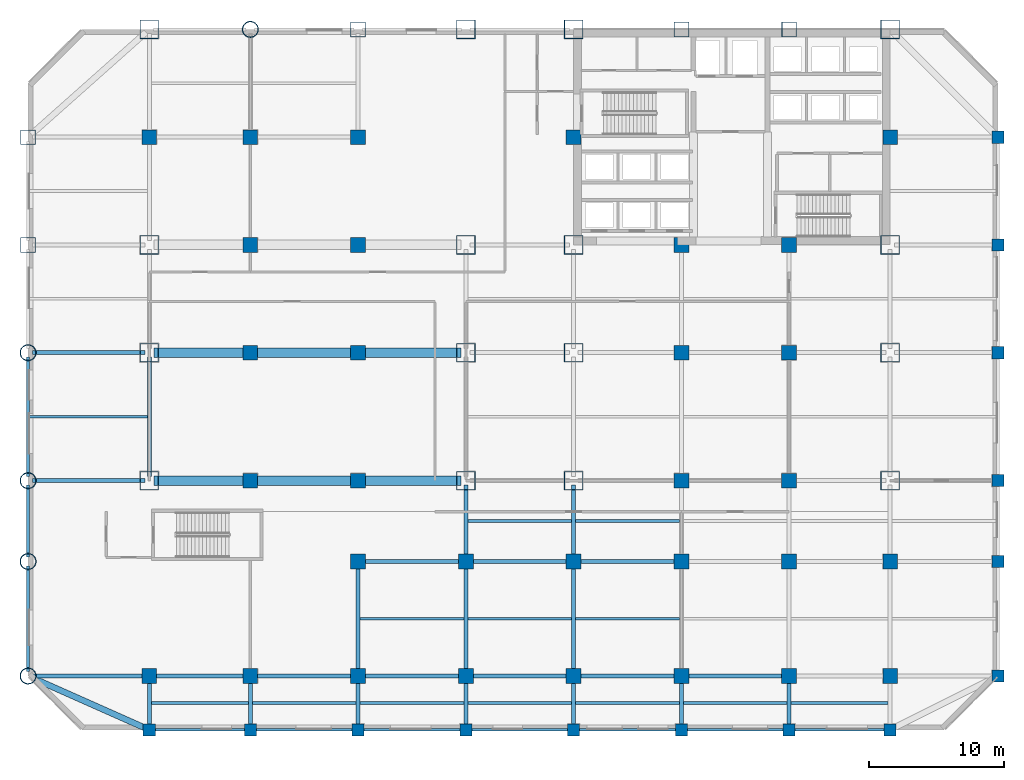
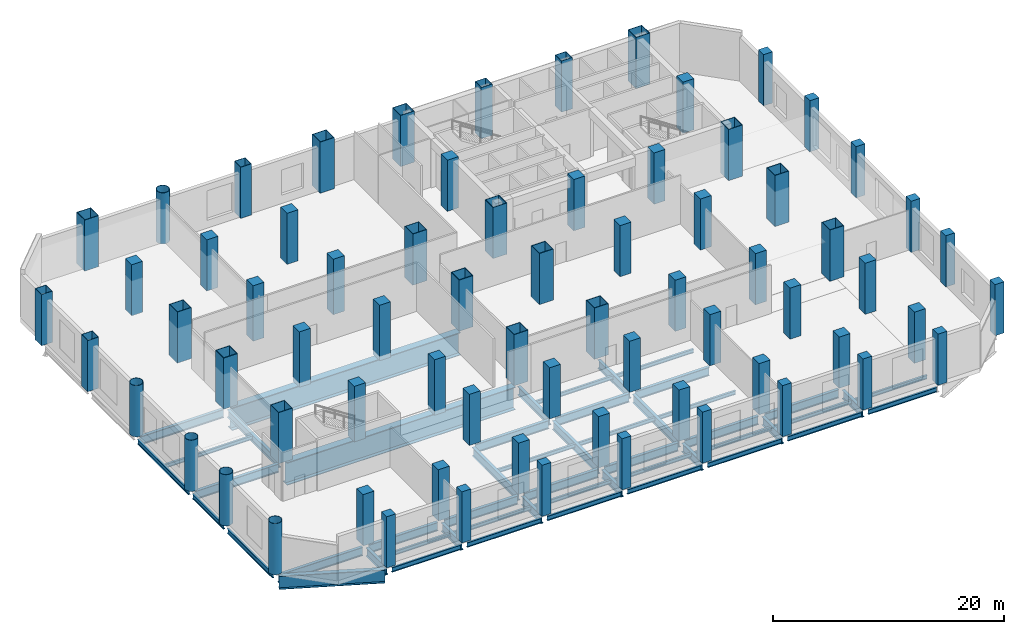
# One storey, part 1 of 10: 71 columns, 51 beams.
"""IFC4 building model written with IfcOpenShell, lengths in metres."""

from ifc_helpers import new_model, si_unit, direction, frame, origin, origin_2d, place, context, subcontext, project, spatial, rectangle, hollow_rectangle, hollow_circle, i_section, extrude, material, material_profile, profile_set, type_object, element, save


model = new_model("IFC4")

# Units and contexts
model_context = context("Model", 3, precision=1e-05, world=origin(), true_north=direction((0.0, 1.0)))
body_context = subcontext(model_context, "Body", "Model", "MODEL_VIEW")
ifc_project = project(units=[si_unit("LENGTHUNIT", "METRE"), si_unit("AREAUNIT", "SQUARE_METRE"), si_unit("VOLUMEUNIT", "CUBIC_METRE"), si_unit("PLANEANGLEUNIT", "RADIAN"), si_unit("MASSUNIT", "GRAM", prefix="KILO")], contexts=[model_context])

# Site, building, storey
site_placement = place(None, origin())
site = spatial("IfcSite", under=ifc_project, at=site_placement, CompositionType="ELEMENT")
building_placement = place(site_placement, origin())
building = spatial("IfcBuilding", under=site, at=building_placement, Name="Qianrong Seaharbour Tower", CompositionType="ELEMENT")
storey_placement = place(building_placement, frame((0.0, 0.0, 17.39990234375)))
storey = spatial("IfcBuildingStorey", under=building, at=storey_placement, Name="L04", CompositionType="ELEMENT", Elevation=17.39990234375)

# Columns
ifc_material_1 = material(Name="Structural steel SN490B", Category="steel")
ifc_material_profile_1 = material_profile(ifc_material_1, hollow_rectangle(XDim=1.39990234375, YDim=1.39990234375, WallThickness=0.050048828125, at=origin_2d()), Name="BOX1400x1400x50")
ifc_profile_set_1 = profile_set([ifc_material_profile_1], Name="Structural steel SN490B")
column_type_1 = type_object("IfcColumnType", Name="COL-CFT-1400", PredefinedType="COLUMN", material=ifc_profile_set_1)
for number, where, z_axis, x_axis, name in (
    (1, (9.0, 18.5, 0.0), (0.0, 0.0, 1.0), (1.0, 0.0, 0.0), "L04 Column MC-1 at G2/GD"),
    (2, (9.0, 28.0, 0.0), (0.0, 0.0, 1.0), (1.0, 0.0, 0.0), "L04 Column MC-1 at G2/GE"),
    (3, (9.0, 36.0, 0.0), (0.0, 0.0, 1.0), (1.0, 0.0, 0.0), "L04 Column MC-1 at G2/GF"),
    (4, (9.0, 52.0, 0.0), (0.0, 0.0, 1.0), (1.0, 0.0, 0.0), "L04 Column MC-1 at G2/GH"),
    (5, (32.5, 18.5, 0.0), (0.0, 0.0, 1.0), (1.0, 0.0, 0.0), "L04 Column MC-1 at G5/GD"),
    (6, (32.5, 28.0, 0.0), (0.0, 0.0, 1.0), (1.0, 0.0, 0.0), "L04 Column MC-1 at G5/GE"),
    (7, (32.5, 36.0, 0.0), (0.0, 0.0, 1.0), (1.0, 0.0, 0.0), "L04 Column MC-1 at G5/GF"),
    (8, (32.5, 52.0, 0.0), (0.0, 0.0, 1.0), (1.0, 0.0, 0.0), "L04 Column MC-1 at G5/GH"),
    (9, (40.5, 18.5, 0.0), (0.0, 0.0, 1.0), (1.0, 0.0, 0.0), "L04 Column MC-1 at G6/GD"),
    (10, (40.5, 28.0, 0.0), (0.0, 0.0, 1.0), (1.0, 0.0, 0.0), "L04 Column MC-1 at G6/GE"),
    (11, (40.5, 36.0, 0.0), (0.0, 0.0, 1.0), (1.0, 0.0, 0.0), "L04 Column MC-1 at G6/GF"),
    (12, (40.5, 52.0, 0.0), (0.0, 0.0, 1.0), (1.0, 0.0, 0.0), "L04 Column MC-1 at G6/GH"),
    (13, (64.0, 18.5, 0.0), (0.0, 0.0, 1.0), (1.0, 0.0, 0.0), "L04 Column MC-1 at G9/GD"),
    (14, (64.0, 28.0, 0.0), (0.0, 0.0, 1.0), (1.0, 0.0, 0.0), "L04 Column MC-1 at G9/GE"),
    (15, (64.0, 36.0, 0.0), (0.0, 0.0, 1.0), (1.0, 0.0, 0.0), "L04 Column MC-1 at G9/GF"),
    (16, (64.0, 52.0, 0.0), (0.0, 0.0, 1.0), (1.0, 0.0, 0.0), "L04 Column MC-1 at G9/GH"),
):
    element("IfcColumn", number, at=place(storey_placement, frame(where, z_axis=z_axis, x_axis=x_axis)), inside=storey, type_object=column_type_1, Name=name, PredefinedType="COLUMN", context=body_context, shape_type="SweptSolid", body=[
        extrude(hollow_rectangle(XDim=1.39990234375, YDim=1.39990234375, WallThickness=0.050048828125, at=origin_2d()), origin(), (0.0, 0.0, 1.0), 5.400146484375),
    ])
ifc_material_profile_2 = material_profile(ifc_material_1, hollow_circle(Radius=0.60009765625, WallThickness=0.0400390625, at=origin_2d()), Name="CHS1200x40")
ifc_profile_set_2 = profile_set([ifc_material_profile_2], Name="Structural steel SN490B")
column_type_2 = type_object("IfcColumnType", Name="COL-CHS-1200", PredefinedType="COLUMN", material=ifc_profile_set_2)
for number, where, z_axis, x_axis, name in (
    (17, (0.0, 4.0, 0.0), (0.0, 0.0, 1.0), (1.0, 0.0, 0.0), "L04 Column CC-1 at G1/GB"),
    (18, (0.0, 12.5, 0.0), (0.0, 0.0, 1.0), (1.0, 0.0, 0.0), "L04 Column CC-1 at G1/GC"),
    (19, (0.0, 18.5, 0.0), (0.0, 0.0, 1.0), (1.0, 0.0, 0.0), "L04 Column CC-1 at G1/GD"),
    (20, (0.0, 28.0, 0.0), (0.0, 0.0, 1.0), (1.0, 0.0, 0.0), "L04 Column CC-1 at G1/GE"),
    (21, (16.5, 52.0, 0.0), (0.0, 0.0, 1.0), (1.0, 0.0, 0.0), "L04 Column CC-1 at G3/GH"),
):
    element("IfcColumn", number, at=place(storey_placement, frame(where, z_axis=z_axis, x_axis=x_axis)), inside=storey, type_object=column_type_2, Name=name, PredefinedType="COLUMN", context=body_context, shape_type="SweptSolid", body=[
        extrude(hollow_circle(Radius=0.60009765625, WallThickness=0.0400390625, at=origin_2d()), origin(), (0.0, 0.0, 1.0), 5.400146484375),
    ])
ifc_material_2 = material(Name="Concrete C70/85", Category="concrete")
ifc_material_profile_3 = material_profile(ifc_material_2, rectangle(XDim=1.10009765625, YDim=1.10009765625, at=origin_2d()), Name="RC1100x1100")
ifc_profile_set_3 = profile_set([ifc_material_profile_3], Name="Concrete C70/85")
column_type_3 = type_object("IfcColumnType", Name="COL-INT-RC1100", PredefinedType="COLUMN", material=ifc_profile_set_3)
for number, where, z_axis, x_axis, name in (
    (22, (9.0, 4.0, 0.0), (0.0, 0.0, 1.0), (1.0, 0.0, 0.0), "L04 Column IC-1 at G2/GB"),
    (23, (9.0, 44.0, 0.0), (0.0, 0.0, 1.0), (1.0, 0.0, 0.0), "L04 Column IC-1 at G2/GG"),
    (24, (16.5, 4.0, 0.0), (0.0, 0.0, 1.0), (1.0, 0.0, 0.0), "L04 Column IC-1 at G3/GB"),
):
    element("IfcColumn", number, at=place(storey_placement, frame(where, z_axis=z_axis, x_axis=x_axis)), inside=storey, type_object=column_type_3, Name=name, PredefinedType="COLUMN", context=body_context, shape_type="SweptSolid", body=[
        extrude(rectangle(XDim=1.10009765625, YDim=1.10009765625, at=origin_2d()), origin(), (0.0, 0.0, 1.0), 5.400146484375),
    ])
for number, where, z_axis, x_axis, name in (
    (25, (16.5, 18.5, -0.449951171875), (0.0, 0.0, 1.0), (1.0, 0.0, 0.0), "L04 Column IC-1 at G3/GD"),
    (26, (16.5, 28.0, -0.449951171875), (0.0, 0.0, 1.0), (1.0, 0.0, 0.0), "L04 Column IC-1 at G3/GE"),
    (27, (16.5, 36.0, -0.449951171875), (0.0, 0.0, 1.0), (1.0, 0.0, 0.0), "L04 Column IC-1 at G3/GF"),
):
    element("IfcColumn", number, at=place(storey_placement, frame(where, z_axis=z_axis, x_axis=x_axis)), inside=storey, type_object=column_type_3, Name=name, PredefinedType="COLUMN", context=body_context, shape_type="SweptSolid", body=[
        extrude(rectangle(XDim=1.10009765625, YDim=1.10009765625, at=origin_2d()), origin(), (0.0, 0.0, 1.0), 5.85009765625),
    ])
for number, where, z_axis, x_axis, name in (
    (28, (16.5, 44.0, 0.0), (0.0, 0.0, 1.0), (1.0, 0.0, 0.0), "L04 Column IC-1 at G3/GG"),
    (29, (24.5, 4.0, 0.0), (0.0, 0.0, 1.0), (1.0, 0.0, 0.0), "L04 Column IC-1 at G4/GB"),
    (30, (24.5, 12.5, 0.0), (0.0, 0.0, 1.0), (1.0, 0.0, 0.0), "L04 Column IC-1 at G4/GC"),
):
    element("IfcColumn", number, at=place(storey_placement, frame(where, z_axis=z_axis, x_axis=x_axis)), inside=storey, type_object=column_type_3, Name=name, PredefinedType="COLUMN", context=body_context, shape_type="SweptSolid", body=[
        extrude(rectangle(XDim=1.10009765625, YDim=1.10009765625, at=origin_2d()), origin(), (0.0, 0.0, 1.0), 5.400146484375),
    ])
for number, where, z_axis, x_axis, name in (
    (31, (24.5, 18.5, -0.449951171875), (0.0, 0.0, 1.0), (1.0, 0.0, 0.0), "L04 Column IC-1 at G4/GD"),
    (32, (24.5, 28.0, -0.449951171875), (0.0, 0.0, 1.0), (1.0, 0.0, 0.0), "L04 Column IC-1 at G4/GE"),
    (33, (24.5, 36.0, -0.449951171875), (0.0, 0.0, 1.0), (1.0, 0.0, 0.0), "L04 Column IC-1 at G4/GF"),
):
    element("IfcColumn", number, at=place(storey_placement, frame(where, z_axis=z_axis, x_axis=x_axis)), inside=storey, type_object=column_type_3, Name=name, PredefinedType="COLUMN", context=body_context, shape_type="SweptSolid", body=[
        extrude(rectangle(XDim=1.10009765625, YDim=1.10009765625, at=origin_2d()), origin(), (0.0, 0.0, 1.0), 5.85009765625),
    ])
for number, where, z_axis, x_axis, name in (
    (34, (24.5, 44.0, 0.0), (0.0, 0.0, 1.0), (1.0, 0.0, 0.0), "L04 Column IC-1 at G4/GG"),
    (35, (32.5, 4.0, 0.0), (0.0, 0.0, 1.0), (1.0, 0.0, 0.0), "L04 Column IC-1 at G5/GB"),
    (36, (32.5, 12.5, 0.0), (0.0, 0.0, 1.0), (1.0, 0.0, 0.0), "L04 Column IC-1 at G5/GC"),
    (37, (40.5, 4.0, 0.0), (0.0, 0.0, 1.0), (1.0, 0.0, 0.0), "L04 Column IC-1 at G6/GB"),
    (38, (40.5, 12.5, 0.0), (0.0, 0.0, 1.0), (1.0, 0.0, 0.0), "L04 Column IC-1 at G6/GC"),
    (39, (40.5, 44.0, 0.0), (0.0, 0.0, 1.0), (1.0, 0.0, 0.0), "L04 Column IC-1 at G6/GG"),
    (40, (48.5, 4.0, 0.0), (0.0, 0.0, 1.0), (1.0, 0.0, 0.0), "L04 Column IC-1 at G7/GB"),
    (41, (48.5, 12.5, 0.0), (0.0, 0.0, 1.0), (1.0, 0.0, 0.0), "L04 Column IC-1 at G7/GC"),
    (42, (48.5, 18.5, 0.0), (0.0, 0.0, 1.0), (1.0, 0.0, 0.0), "L04 Column IC-1 at G7/GD"),
    (43, (48.5, 28.0, 0.0), (0.0, 0.0, 1.0), (1.0, 0.0, 0.0), "L04 Column IC-1 at G7/GE"),
    (44, (48.5, 36.0, 0.0), (0.0, 0.0, 1.0), (1.0, 0.0, 0.0), "L04 Column IC-1 at G7/GF"),
    (45, (56.5, 4.0, 0.0), (0.0, 0.0, 1.0), (1.0, 0.0, 0.0), "L04 Column IC-1 at G8/GB"),
    (46, (56.5, 12.5, 0.0), (0.0, 0.0, 1.0), (1.0, 0.0, 0.0), "L04 Column IC-1 at G8/GC"),
    (47, (56.5, 18.5, 0.0), (0.0, 0.0, 1.0), (1.0, 0.0, 0.0), "L04 Column IC-1 at G8/GD"),
    (48, (56.5, 28.0, 0.0), (0.0, 0.0, 1.0), (1.0, 0.0, 0.0), "L04 Column IC-1 at G8/GE"),
    (49, (56.5, 36.0, 0.0), (0.0, 0.0, 1.0), (1.0, 0.0, 0.0), "L04 Column IC-1 at G8/GF"),
    (50, (64.0, 4.0, 0.0), (0.0, 0.0, 1.0), (1.0, 0.0, 0.0), "L04 Column IC-1 at G9/GB"),
    (51, (64.0, 12.5, 0.0), (0.0, 0.0, 1.0), (1.0, 0.0, 0.0), "L04 Column IC-1 at G9/GC"),
    (52, (64.0, 44.0, 0.0), (0.0, 0.0, 1.0), (1.0, 0.0, 0.0), "L04 Column IC-1 at G9/GG"),
):
    element("IfcColumn", number, at=place(storey_placement, frame(where, z_axis=z_axis, x_axis=x_axis)), inside=storey, type_object=column_type_3, Name=name, PredefinedType="COLUMN", context=body_context, shape_type="SweptSolid", body=[
        extrude(rectangle(XDim=1.10009765625, YDim=1.10009765625, at=origin_2d()), origin(), (0.0, 0.0, 1.0), 5.400146484375),
    ])
ifc_material_profile_4 = material_profile(ifc_material_1, hollow_rectangle(XDim=1.10009765625, YDim=1.10009765625, WallThickness=0.0400390625, at=origin_2d()), Name="BOX1100x1100x40")
ifc_profile_set_4 = profile_set([ifc_material_profile_4], Name="Structural steel SN490B")
column_type_4 = type_object("IfcColumnType", Name="COL-PER-1100", PredefinedType="COLUMN", material=ifc_profile_set_4)
for number, where, z_axis, x_axis, name in (
    (53, (0.0, 36.0, 0.0), (0.0, 0.0, 1.0), (1.0, 0.0, 0.0), "L04 Column PC-1 at G1/GF"),
    (54, (0.0, 44.0, 0.0), (0.0, 0.0, 1.0), (1.0, 0.0, 0.0), "L04 Column PC-1 at G1/GG"),
    (55, (24.5, 52.0, 0.0), (0.0, 0.0, 1.0), (1.0, 0.0, 0.0), "L04 Column PC-1 at G4/GH"),
    (56, (48.5, 52.0, 0.0), (0.0, 0.0, 1.0), (1.0, 0.0, 0.0), "L04 Column PC-1 at G7/GH"),
    (57, (56.5, 52.0, 0.0), (0.0, 0.0, 1.0), (1.0, 0.0, 0.0), "L04 Column PC-1 at G8/GH"),
):
    element("IfcColumn", number, at=place(storey_placement, frame(where, z_axis=z_axis, x_axis=x_axis)), inside=storey, type_object=column_type_4, Name=name, PredefinedType="COLUMN", context=body_context, shape_type="SweptSolid", body=[
        extrude(hollow_rectangle(XDim=1.10009765625, YDim=1.10009765625, WallThickness=0.0400390625, at=origin_2d()), origin(), (0.0, 0.0, 1.0), 5.400146484375),
    ])
ifc_material_3 = material(Name="Concrete C60/75", Category="concrete")
ifc_material_profile_5 = material_profile(ifc_material_3, rectangle(XDim=0.89990234375, YDim=0.89990234375, at=origin_2d()), Name="RC900x900")
ifc_profile_set_5 = profile_set([ifc_material_profile_5], Name="Concrete C60/75")
column_type_5 = type_object("IfcColumnType", Name="COL-PIL-RC900", PredefinedType="PILASTER", material=ifc_profile_set_5)
for number, where, z_axis, x_axis, name in (
    (58, (9.0, 0.0, 0.0), (0.0, 0.0, 1.0), (1.0, 0.0, 0.0), "L04 Column CP-1 at G2/GA"),
    (59, (16.5, 0.0, 0.0), (0.0, 0.0, 1.0), (1.0, 0.0, 0.0), "L04 Column CP-1 at G3/GA"),
    (60, (24.5, 0.0, 0.0), (0.0, 0.0, 1.0), (1.0, 0.0, 0.0), "L04 Column CP-1 at G4/GA"),
    (61, (32.5, 0.0, 0.0), (0.0, 0.0, 1.0), (1.0, 0.0, 0.0), "L04 Column CP-1 at G5/GA"),
    (62, (40.5, 0.0, 0.0), (0.0, 0.0, 1.0), (1.0, 0.0, 0.0), "L04 Column CP-1 at G6/GA"),
    (63, (48.5, 0.0, 0.0), (0.0, 0.0, 1.0), (1.0, 0.0, 0.0), "L04 Column CP-1 at G7/GA"),
    (64, (56.5, 0.0, 0.0), (0.0, 0.0, 1.0), (1.0, 0.0, 0.0), "L04 Column CP-1 at G8/GA"),
    (65, (64.0, 0.0, 0.0), (0.0, 0.0, 1.0), (1.0, 0.0, 0.0), "L04 Column CP-1 at G9/GA"),
    (66, (72.0, 4.0, 0.0), (0.0, 0.0, 1.0), (1.0, 0.0, 0.0), "L04 Column CP-1 at G10/GB"),
    (67, (72.0, 12.5, 0.0), (0.0, 0.0, 1.0), (1.0, 0.0, 0.0), "L04 Column CP-1 at G10/GC"),
    (68, (72.0, 18.5, 0.0), (0.0, 0.0, 1.0), (1.0, 0.0, 0.0), "L04 Column CP-1 at G10/GD"),
    (69, (72.0, 28.0, 0.0), (0.0, 0.0, 1.0), (1.0, 0.0, 0.0), "L04 Column CP-1 at G10/GE"),
    (70, (72.0, 36.0, 0.0), (0.0, 0.0, 1.0), (1.0, 0.0, 0.0), "L04 Column CP-1 at G10/GF"),
    (71, (72.0, 44.0, 0.0), (0.0, 0.0, 1.0), (1.0, 0.0, 0.0), "L04 Column CP-1 at G10/GG"),
):
    element("IfcColumn", number, at=place(storey_placement, frame(where, z_axis=z_axis, x_axis=x_axis)), inside=storey, type_object=column_type_5, Name=name, PredefinedType="PILASTER", context=body_context, shape_type="SweptSolid", body=[
        extrude(rectangle(XDim=0.89990234375, YDim=0.89990234375, at=origin_2d()), origin(), (0.0, 0.0, 1.0), 5.400146484375),
    ])

# Beams
ifc_material_profile_6 = material_profile(ifc_material_1, i_section(OverallWidth=0.300048828125, OverallDepth=0.800048828125, WebThickness=0.013916015625, FlangeThickness=0.02587890625, FilletRadius=0.028076171875, at=origin_2d()), Name="H800x300x14x26")
ifc_profile_set_6 = profile_set([ifc_material_profile_6], Name="Structural steel SN490B")
beam_type_1 = type_object("IfcBeamType", Name="BM-G-800", PredefinedType="BEAM", material=ifc_profile_set_6)
beam_1_placement = place(storey_placement, frame((9.0, 18.820068359375, -0.849853515625), z_axis=(0.0, 1.0, 0.0), x_axis=(-1.0, 0.0, 0.0)))
element("IfcBeam", 72, at=beam_1_placement, inside=storey, type_object=beam_type_1, Name="L04 Primary Girder G2 GD-GE", PredefinedType="BEAM", context=body_context, shape_type="SweptSolid", body=[
    extrude(i_section(OverallWidth=0.300048828125, OverallDepth=0.800048828125, WebThickness=0.013916015625, FlangeThickness=0.02587890625, FilletRadius=0.028076171875, at=origin_2d()), origin(), (0.0, 0.0, 1.0), 8.85986328125),
])
ifc_material_profile_7 = material_profile(ifc_material_1, i_section(OverallWidth=0.300048828125, OverallDepth=0.89990234375, WebThickness=0.01611328125, FlangeThickness=0.028076171875, FilletRadius=0.028076171875, at=origin_2d()), Name="H900x300x16x28")
ifc_profile_set_7 = profile_set([ifc_material_profile_7], Name="Structural steel SN490B")
beam_type_2 = type_object("IfcBeamType", Name="BM-G-900", PredefinedType="BEAM", material=ifc_profile_set_7)
beam_2_placement = place(storey_placement, frame((0.320068359375, 4.0, -0.89990234375), z_axis=(1.0, 0.0, 0.0), x_axis=(0.0, 1.0, 0.0)))
element("IfcBeam", 73, at=beam_2_placement, inside=storey, type_object=beam_type_2, Name="L04 Primary Girder GB G1-G2", PredefinedType="BEAM", context=body_context, shape_type="SweptSolid", body=[
    extrude(i_section(OverallWidth=0.300048828125, OverallDepth=0.89990234375, WebThickness=0.01611328125, FlangeThickness=0.028076171875, FilletRadius=0.028076171875, at=origin_2d()), origin(), (0.0, 0.0, 1.0), 8.35986328125),
])
beam_3_placement = place(storey_placement, frame((9.320068359375, 4.0, -0.89990234375), z_axis=(1.0, 0.0, 0.0), x_axis=(0.0, 1.0, 0.0)))
element("IfcBeam", 74, at=beam_3_placement, inside=storey, type_object=beam_type_2, Name="L04 Primary Girder GB G2-G3", PredefinedType="BEAM", context=body_context, shape_type="SweptSolid", body=[
    extrude(i_section(OverallWidth=0.300048828125, OverallDepth=0.89990234375, WebThickness=0.01611328125, FlangeThickness=0.028076171875, FilletRadius=0.028076171875, at=origin_2d()), origin(), (0.0, 0.0, 1.0), 6.85986328125),
])
for number, where, z_axis, x_axis, name in (
    (75, (16.820068359375, 4.0, -0.89990234375), (1.0, 0.0, 0.0), (0.0, 1.0, 0.0), "L04 Primary Girder GB G3-G4"),
    (76, (24.820068359375, 4.0, -0.89990234375), (1.0, 0.0, 0.0), (0.0, 1.0, 0.0), "L04 Primary Girder GB G4-G5"),
    (77, (32.820068359375, 4.0, -0.89990234375), (1.0, 0.0, 0.0), (0.0, 1.0, 0.0), "L04 Primary Girder GB G5-G6"),
    (78, (40.820068359375, 4.0, -0.89990234375), (1.0, 0.0, 0.0), (0.0, 1.0, 0.0), "L04 Primary Girder GB G6-G7"),
    (79, (48.820068359375, 4.0, -0.89990234375), (1.0, 0.0, 0.0), (0.0, 1.0, 0.0), "L04 Primary Girder GB G7-G8"),
    (80, (24.820068359375, 12.5, -0.89990234375), (1.0, 0.0, 0.0), (0.0, 1.0, 0.0), "L04 Primary Girder GC G4-G5"),
    (81, (32.820068359375, 12.5, -0.89990234375), (1.0, 0.0, 0.0), (0.0, 1.0, 0.0), "L04 Primary Girder GC G5-G6"),
    (82, (40.820068359375, 12.5, -0.89990234375), (1.0, 0.0, 0.0), (0.0, 1.0, 0.0), "L04 Primary Girder GC G6-G7"),
):
    element("IfcBeam", number, at=place(storey_placement, frame(where, z_axis=z_axis, x_axis=x_axis)), inside=storey, type_object=beam_type_2, Name=name, PredefinedType="BEAM", context=body_context, shape_type="SweptSolid", body=[
        extrude(i_section(OverallWidth=0.300048828125, OverallDepth=0.89990234375, WebThickness=0.01611328125, FlangeThickness=0.028076171875, FilletRadius=0.028076171875, at=origin_2d()), origin(), (0.0, 0.0, 1.0), 7.35986328125),
    ])
for number, where, z_axis, x_axis, name in (
    (83, (0.320068359375, 18.5, -0.89990234375), (1.0, 0.0, 0.0), (0.0, 1.0, 0.0), "L04 Primary Girder GD G1-G2"),
    (84, (0.320068359375, 28.0, -0.89990234375), (1.0, 0.0, 0.0), (0.0, 1.0, 0.0), "L04 Primary Girder GE G1-G2"),
):
    element("IfcBeam", number, at=place(storey_placement, frame(where, z_axis=z_axis, x_axis=x_axis)), inside=storey, type_object=beam_type_2, Name=name, PredefinedType="BEAM", context=body_context, shape_type="SweptSolid", body=[
        extrude(i_section(OverallWidth=0.300048828125, OverallDepth=0.89990234375, WebThickness=0.01611328125, FlangeThickness=0.028076171875, FilletRadius=0.028076171875, at=origin_2d()), origin(), (0.0, 0.0, 1.0), 8.35986328125),
    ])
for number, where, z_axis, x_axis, name in (
    (85, (9.0, 0.320068359375, -0.89990234375), (0.0, 1.0, 0.0), (-1.0, 0.0, 0.0), "L04 Primary Girder G2 GA-GB"),
    (86, (16.5, 0.320068359375, -0.89990234375), (0.0, 1.0, 0.0), (-1.0, 0.0, 0.0), "L04 Primary Girder G3 GA-GB"),
    (87, (24.5, 0.320068359375, -0.89990234375), (0.0, 1.0, 0.0), (-1.0, 0.0, 0.0), "L04 Primary Girder G4 GA-GB"),
):
    element("IfcBeam", number, at=place(storey_placement, frame(where, z_axis=z_axis, x_axis=x_axis)), inside=storey, type_object=beam_type_2, Name=name, PredefinedType="BEAM", context=body_context, shape_type="SweptSolid", body=[
        extrude(i_section(OverallWidth=0.300048828125, OverallDepth=0.89990234375, WebThickness=0.01611328125, FlangeThickness=0.028076171875, FilletRadius=0.028076171875, at=origin_2d()), origin(), (0.0, 0.0, 1.0), 3.35986328125),
    ])
beam_4_placement = place(storey_placement, frame((24.5, 4.320068359375, -0.89990234375), z_axis=(0.0, 1.0, 0.0), x_axis=(-1.0, 0.0, 0.0)))
element("IfcBeam", 88, at=beam_4_placement, inside=storey, type_object=beam_type_2, Name="L04 Primary Girder G4 GB-GC", PredefinedType="BEAM", context=body_context, shape_type="SweptSolid", body=[
    extrude(i_section(OverallWidth=0.300048828125, OverallDepth=0.89990234375, WebThickness=0.01611328125, FlangeThickness=0.028076171875, FilletRadius=0.028076171875, at=origin_2d()), origin(), (0.0, 0.0, 1.0), 7.85986328125),
])
beam_5_placement = place(storey_placement, frame((32.5, 0.320068359375, -0.89990234375), z_axis=(0.0, 1.0, 0.0), x_axis=(-1.0, 0.0, 0.0)))
element("IfcBeam", 89, at=beam_5_placement, inside=storey, type_object=beam_type_2, Name="L04 Primary Girder G5 GA-GB", PredefinedType="BEAM", context=body_context, shape_type="SweptSolid", body=[
    extrude(i_section(OverallWidth=0.300048828125, OverallDepth=0.89990234375, WebThickness=0.01611328125, FlangeThickness=0.028076171875, FilletRadius=0.028076171875, at=origin_2d()), origin(), (0.0, 0.0, 1.0), 3.35986328125),
])
beam_6_placement = place(storey_placement, frame((32.5, 4.320068359375, -0.89990234375), z_axis=(0.0, 1.0, 0.0), x_axis=(-1.0, 0.0, 0.0)))
element("IfcBeam", 90, at=beam_6_placement, inside=storey, type_object=beam_type_2, Name="L04 Primary Girder G5 GB-GC", PredefinedType="BEAM", context=body_context, shape_type="SweptSolid", body=[
    extrude(i_section(OverallWidth=0.300048828125, OverallDepth=0.89990234375, WebThickness=0.01611328125, FlangeThickness=0.028076171875, FilletRadius=0.028076171875, at=origin_2d()), origin(), (0.0, 0.0, 1.0), 7.85986328125),
])
beam_7_placement = place(storey_placement, frame((32.5, 12.820068359375, -0.89990234375), z_axis=(0.0, 1.0, 0.0), x_axis=(-1.0, 0.0, 0.0)))
element("IfcBeam", 91, at=beam_7_placement, inside=storey, type_object=beam_type_2, Name="L04 Primary Girder G5 GC-GD", PredefinedType="BEAM", context=body_context, shape_type="SweptSolid", body=[
    extrude(i_section(OverallWidth=0.300048828125, OverallDepth=0.89990234375, WebThickness=0.01611328125, FlangeThickness=0.028076171875, FilletRadius=0.028076171875, at=origin_2d()), origin(), (0.0, 0.0, 1.0), 5.35986328125),
])
beam_8_placement = place(storey_placement, frame((40.5, 0.320068359375, -0.89990234375), z_axis=(0.0, 1.0, 0.0), x_axis=(-1.0, 0.0, 0.0)))
element("IfcBeam", 92, at=beam_8_placement, inside=storey, type_object=beam_type_2, Name="L04 Primary Girder G6 GA-GB", PredefinedType="BEAM", context=body_context, shape_type="SweptSolid", body=[
    extrude(i_section(OverallWidth=0.300048828125, OverallDepth=0.89990234375, WebThickness=0.01611328125, FlangeThickness=0.028076171875, FilletRadius=0.028076171875, at=origin_2d()), origin(), (0.0, 0.0, 1.0), 3.35986328125),
])
beam_9_placement = place(storey_placement, frame((40.5, 4.320068359375, -0.89990234375), z_axis=(0.0, 1.0, 0.0), x_axis=(-1.0, 0.0, 0.0)))
element("IfcBeam", 93, at=beam_9_placement, inside=storey, type_object=beam_type_2, Name="L04 Primary Girder G6 GB-GC", PredefinedType="BEAM", context=body_context, shape_type="SweptSolid", body=[
    extrude(i_section(OverallWidth=0.300048828125, OverallDepth=0.89990234375, WebThickness=0.01611328125, FlangeThickness=0.028076171875, FilletRadius=0.028076171875, at=origin_2d()), origin(), (0.0, 0.0, 1.0), 7.85986328125),
])
beam_10_placement = place(storey_placement, frame((40.5, 12.820068359375, -0.89990234375), z_axis=(0.0, 1.0, 0.0), x_axis=(-1.0, 0.0, 0.0)))
element("IfcBeam", 94, at=beam_10_placement, inside=storey, type_object=beam_type_2, Name="L04 Primary Girder G6 GC-GD", PredefinedType="BEAM", context=body_context, shape_type="SweptSolid", body=[
    extrude(i_section(OverallWidth=0.300048828125, OverallDepth=0.89990234375, WebThickness=0.01611328125, FlangeThickness=0.028076171875, FilletRadius=0.028076171875, at=origin_2d()), origin(), (0.0, 0.0, 1.0), 5.35986328125),
])
for number, where, z_axis, x_axis, name in (
    (95, (48.5, 0.320068359375, -0.89990234375), (0.0, 1.0, 0.0), (-1.0, 0.0, 0.0), "L04 Primary Girder G7 GA-GB"),
    (96, (56.5, 0.320068359375, -0.89990234375), (0.0, 1.0, 0.0), (-1.0, 0.0, 0.0), "L04 Primary Girder G8 GA-GB"),
):
    element("IfcBeam", number, at=place(storey_placement, frame(where, z_axis=z_axis, x_axis=x_axis)), inside=storey, type_object=beam_type_2, Name=name, PredefinedType="BEAM", context=body_context, shape_type="SweptSolid", body=[
        extrude(i_section(OverallWidth=0.300048828125, OverallDepth=0.89990234375, WebThickness=0.01611328125, FlangeThickness=0.028076171875, FilletRadius=0.028076171875, at=origin_2d()), origin(), (0.0, 0.0, 1.0), 3.35986328125),
    ])
ifc_material_4 = material(Name="Structural steel SN400B", Category="steel")
ifc_material_profile_8 = material_profile(ifc_material_4, i_section(OverallWidth=0.199951171875, OverallDepth=0.39990234375, WebThickness=0.008056640625, FlangeThickness=0.012939453125, FilletRadius=0.01611328125, at=origin_2d()), Name="H400x200x8x13")
ifc_profile_set_8 = profile_set([ifc_material_profile_8], Name="Structural steel SN400B")
beam_type_3 = type_object("IfcBeamType", Name="BM-J-400", PredefinedType="JOIST", material=ifc_profile_set_8)
beam_11_placement = place(storey_placement, frame((0.10009765625, 23.25, -0.64990234375), z_axis=(1.0, 0.0, 0.0), x_axis=(0.0, 1.0, 0.0)))
element("IfcBeam", 97, at=beam_11_placement, inside=storey, type_object=beam_type_3, Name="L04 Composite Floor Joist G1-G2/GD-GE", PredefinedType="JOIST", context=body_context, shape_type="SweptSolid", body=[
    extrude(i_section(OverallWidth=0.199951171875, OverallDepth=0.39990234375, WebThickness=0.008056640625, FlangeThickness=0.012939453125, FilletRadius=0.01611328125, at=origin_2d()), origin(), (0.0, 0.0, 1.0), 8.75),
])
beam_12_placement = place(storey_placement, frame((9.14990234375, 2.0, -0.64990234375), z_axis=(1.0, 0.0, 0.0), x_axis=(0.0, 1.0, 0.0)))
element("IfcBeam", 98, at=beam_12_placement, inside=storey, type_object=beam_type_3, Name="L04 Composite Floor Joist G2-G3/GA-GB", PredefinedType="JOIST", context=body_context, shape_type="SweptSolid", body=[
    extrude(i_section(OverallWidth=0.199951171875, OverallDepth=0.39990234375, WebThickness=0.008056640625, FlangeThickness=0.012939453125, FilletRadius=0.01611328125, at=origin_2d()), origin(), (0.0, 0.0, 1.0), 7.2001953125),
])
for number, where, z_axis, x_axis, name in (
    (99, (16.64990234375, 2.0, -0.64990234375), (1.0, 0.0, 0.0), (0.0, 1.0, 0.0), "L04 Composite Floor Joist G3-G4/GA-GB"),
    (100, (24.64990234375, 2.0, -0.64990234375), (1.0, 0.0, 0.0), (0.0, 1.0, 0.0), "L04 Composite Floor Joist G4-G5/GA-GB"),
    (101, (24.64990234375, 8.25, -0.64990234375), (1.0, 0.0, 0.0), (0.0, 1.0, 0.0), "L04 Composite Floor Joist G4-G5/GB-GC"),
    (102, (32.64990234375, 2.0, -0.64990234375), (1.0, 0.0, 0.0), (0.0, 1.0, 0.0), "L04 Composite Floor Joist G5-G6/GA-GB"),
    (103, (32.64990234375, 8.25, -0.64990234375), (1.0, 0.0, 0.0), (0.0, 1.0, 0.0), "L04 Composite Floor Joist G5-G6/GB-GC"),
    (104, (32.64990234375, 15.5, -0.64990234375), (1.0, 0.0, 0.0), (0.0, 1.0, 0.0), "L04 Composite Floor Joist G5-G6/GC-GD"),
    (105, (40.64990234375, 2.0, -0.64990234375), (1.0, 0.0, 0.0), (0.0, 1.0, 0.0), "L04 Composite Floor Joist G6-G7/GA-GB"),
    (106, (40.64990234375, 8.25, -0.64990234375), (1.0, 0.0, 0.0), (0.0, 1.0, 0.0), "L04 Composite Floor Joist G6-G7/GB-GC"),
    (107, (40.64990234375, 15.5, -0.64990234375), (1.0, 0.0, 0.0), (0.0, 1.0, 0.0), "L04 Composite Floor Joist G6-G7/GC-GD"),
    (108, (48.64990234375, 2.0, -0.64990234375), (1.0, 0.0, 0.0), (0.0, 1.0, 0.0), "L04 Composite Floor Joist G7-G8/GA-GB"),
):
    element("IfcBeam", number, at=place(storey_placement, frame(where, z_axis=z_axis, x_axis=x_axis)), inside=storey, type_object=beam_type_3, Name=name, PredefinedType="JOIST", context=body_context, shape_type="SweptSolid", body=[
        extrude(i_section(OverallWidth=0.199951171875, OverallDepth=0.39990234375, WebThickness=0.008056640625, FlangeThickness=0.012939453125, FilletRadius=0.01611328125, at=origin_2d()), origin(), (0.0, 0.0, 1.0), 7.7001953125),
    ])
beam_13_placement = place(storey_placement, frame((56.64990234375, 2.0, -0.64990234375), z_axis=(1.0, 0.0, 0.0), x_axis=(0.0, 1.0, 0.0)))
element("IfcBeam", 109, at=beam_13_placement, inside=storey, type_object=beam_type_3, Name="L04 Composite Floor Joist G8-G9/GA-GB", PredefinedType="JOIST", context=body_context, shape_type="SweptSolid", body=[
    extrude(i_section(OverallWidth=0.199951171875, OverallDepth=0.39990234375, WebThickness=0.008056640625, FlangeThickness=0.012939453125, FilletRadius=0.01611328125, at=origin_2d()), origin(), (0.0, 0.0, 1.0), 7.2001953125),
])
ifc_material_profile_9 = material_profile(ifc_material_1, i_section(OverallWidth=0.199951171875, OverallDepth=0.5, WebThickness=0.010009765625, FlangeThickness=0.01611328125, FilletRadius=0.02001953125, at=origin_2d()), Name="H500x200x10x16")
ifc_profile_set_9 = profile_set([ifc_material_profile_9], Name="Structural steel SN490B")
beam_type_4 = type_object("IfcBeamType", Name="BM-SP-500", PredefinedType="SPANDREL", material=ifc_profile_set_9)
beam_14_placement = place(storey_placement, frame((9.320068359375, 0.0, -0.699951171875), z_axis=(1.0, 0.0, 0.0), x_axis=(0.0, 1.0, 0.0)))
element("IfcBeam", 110, at=beam_14_placement, inside=storey, type_object=beam_type_4, Name="L04 Spandrel Girder GA G2-G3", PredefinedType="SPANDREL", context=body_context, shape_type="SweptSolid", body=[
    extrude(i_section(OverallWidth=0.199951171875, OverallDepth=0.5, WebThickness=0.010009765625, FlangeThickness=0.01611328125, FilletRadius=0.02001953125, at=origin_2d()), origin(), (0.0, 0.0, 1.0), 6.85986328125),
])
for number, where, z_axis, x_axis, name in (
    (111, (16.820068359375, 0.0, -0.699951171875), (1.0, 0.0, 0.0), (0.0, 1.0, 0.0), "L04 Spandrel Girder GA G3-G4"),
    (112, (24.820068359375, 0.0, -0.699951171875), (1.0, 0.0, 0.0), (0.0, 1.0, 0.0), "L04 Spandrel Girder GA G4-G5"),
    (113, (32.820068359375, 0.0, -0.699951171875), (1.0, 0.0, 0.0), (0.0, 1.0, 0.0), "L04 Spandrel Girder GA G5-G6"),
    (114, (40.820068359375, 0.0, -0.699951171875), (1.0, 0.0, 0.0), (0.0, 1.0, 0.0), "L04 Spandrel Girder GA G6-G7"),
    (115, (48.820068359375, 0.0, -0.699951171875), (1.0, 0.0, 0.0), (0.0, 1.0, 0.0), "L04 Spandrel Girder GA G7-G8"),
):
    element("IfcBeam", number, at=place(storey_placement, frame(where, z_axis=z_axis, x_axis=x_axis)), inside=storey, type_object=beam_type_4, Name=name, PredefinedType="SPANDREL", context=body_context, shape_type="SweptSolid", body=[
        extrude(i_section(OverallWidth=0.199951171875, OverallDepth=0.5, WebThickness=0.010009765625, FlangeThickness=0.01611328125, FilletRadius=0.02001953125, at=origin_2d()), origin(), (0.0, 0.0, 1.0), 7.35986328125),
    ])
beam_15_placement = place(storey_placement, frame((56.820068359375, 0.0, -0.699951171875), z_axis=(1.0, 0.0, 0.0), x_axis=(0.0, 1.0, 0.0)))
element("IfcBeam", 116, at=beam_15_placement, inside=storey, type_object=beam_type_4, Name="L04 Spandrel Girder GA G8-G9", PredefinedType="SPANDREL", context=body_context, shape_type="SweptSolid", body=[
    extrude(i_section(OverallWidth=0.199951171875, OverallDepth=0.5, WebThickness=0.010009765625, FlangeThickness=0.01611328125, FilletRadius=0.02001953125, at=origin_2d()), origin(), (0.0, 0.0, 1.0), 6.85986328125),
])
beam_16_placement = place(storey_placement, frame((0.0, 4.320068359375, -0.699951171875), z_axis=(0.0, 1.0, 0.0), x_axis=(-1.0, 0.0, 0.0)))
element("IfcBeam", 117, at=beam_16_placement, inside=storey, type_object=beam_type_4, Name="L04 Spandrel Girder G1 GB-GC", PredefinedType="SPANDREL", context=body_context, shape_type="SweptSolid", body=[
    extrude(i_section(OverallWidth=0.199951171875, OverallDepth=0.5, WebThickness=0.010009765625, FlangeThickness=0.01611328125, FilletRadius=0.02001953125, at=origin_2d()), origin(), (0.0, 0.0, 1.0), 7.85986328125),
])
beam_17_placement = place(storey_placement, frame((0.0, 12.820068359375, -0.699951171875), z_axis=(0.0, 1.0, 0.0), x_axis=(-1.0, 0.0, 0.0)))
element("IfcBeam", 118, at=beam_17_placement, inside=storey, type_object=beam_type_4, Name="L04 Spandrel Girder G1 GC-GD", PredefinedType="SPANDREL", context=body_context, shape_type="SweptSolid", body=[
    extrude(i_section(OverallWidth=0.199951171875, OverallDepth=0.5, WebThickness=0.010009765625, FlangeThickness=0.01611328125, FilletRadius=0.02001953125, at=origin_2d()), origin(), (0.0, 0.0, 1.0), 5.35986328125),
])
beam_18_placement = place(storey_placement, frame((0.0, 18.820068359375, -0.699951171875), z_axis=(0.0, 1.0, 0.0), x_axis=(-1.0, 0.0, 0.0)))
element("IfcBeam", 119, at=beam_18_placement, inside=storey, type_object=beam_type_4, Name="L04 Spandrel Girder G1 GD-GE", PredefinedType="SPANDREL", context=body_context, shape_type="SweptSolid", body=[
    extrude(i_section(OverallWidth=0.199951171875, OverallDepth=0.5, WebThickness=0.010009765625, FlangeThickness=0.01611328125, FilletRadius=0.02001953125, at=origin_2d()), origin(), (0.0, 0.0, 1.0), 8.85986328125),
])
ifc_material_profile_10 = material_profile(ifc_material_1, i_section(OverallWidth=0.449951171875, OverallDepth=1.39990234375, WebThickness=0.02197265625, FlangeThickness=0.0400390625, at=origin_2d()), Name="BH1400x450x22x40")
ifc_profile_set_10 = profile_set([ifc_material_profile_10], Name="Structural steel SN490B")
beam_type_5 = type_object("IfcBeamType", Name="BM-TG-1400", PredefinedType="BEAM", material=ifc_profile_set_10)
beam_19_placement = place(storey_placement, frame((8.70751953125, 0.1298828125, -1.14990234375), z_axis=(-0.913802802304, 0.406158144694, 0.0), x_axis=(-0.406158144694, -0.913802802304, 0.0)))
element("IfcBeam", 120, at=beam_19_placement, inside=storey, type_object=beam_type_5, Name="L04 Chamfer Corner Spandrel Girder G1/GA", PredefinedType="BEAM", context=body_context, shape_type="SweptSolid", body=[
    extrude(i_section(OverallWidth=0.449951171875, OverallDepth=1.39990234375, WebThickness=0.02197265625, FlangeThickness=0.0400390625, at=origin_2d()), origin(), (0.0, 0.0, 1.0), 9.208740234375),
])
ifc_material_profile_11 = material_profile(ifc_material_1, i_section(OverallWidth=0.699951171875, OverallDepth=2.39990234375, WebThickness=0.035888671875, FlangeThickness=0.06494140625, at=origin_2d()), Name="BH2400x700x36x65")
ifc_profile_set_11 = profile_set([ifc_material_profile_11], Name="Structural steel SN490B")
beam_type_6 = type_object("IfcBeamType", Name="BM-TG-2400", PredefinedType="BEAM", material=ifc_profile_set_11)
for number, where, z_axis, x_axis, name in (
    (121, (9.35009765625, 18.5, -1.64990234375), (1.0, 0.0, 0.0), (0.0, 1.0, 0.0), "L04 Auditorium Transfer Girder TG-2 along GD"),
    (122, (9.35009765625, 28.0, -1.64990234375), (1.0, 0.0, 0.0), (0.0, 1.0, 0.0), "L04 Auditorium Transfer Girder TG-3 along GE"),
):
    element("IfcBeam", number, at=place(storey_placement, frame(where, z_axis=z_axis, x_axis=x_axis)), inside=storey, type_object=beam_type_6, Name=name, PredefinedType="BEAM", context=body_context, shape_type="SweptSolid", body=[
        extrude(i_section(OverallWidth=0.699951171875, OverallDepth=2.39990234375, WebThickness=0.035888671875, FlangeThickness=0.06494140625, at=origin_2d()), origin(), (0.0, 0.0, 1.0), 22.7998046875),
    ])

save(model, "model.ifc")
